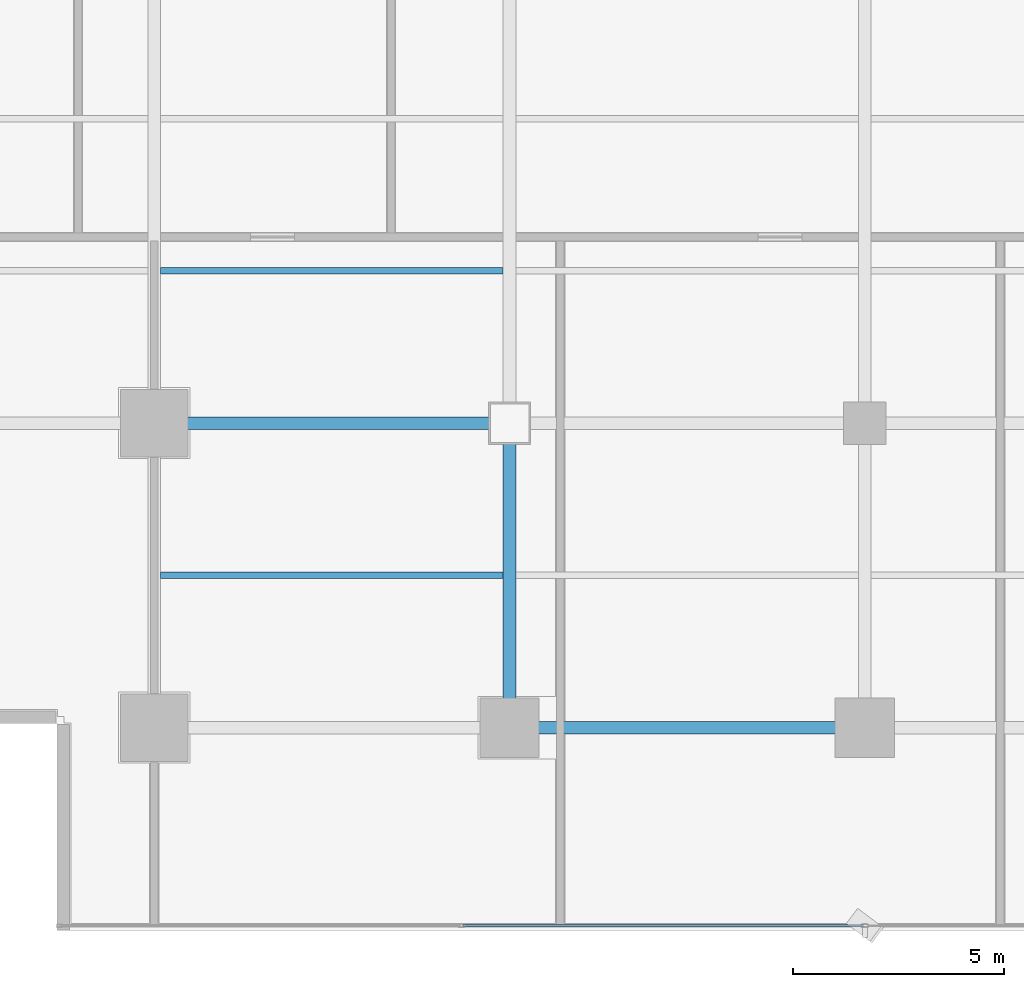
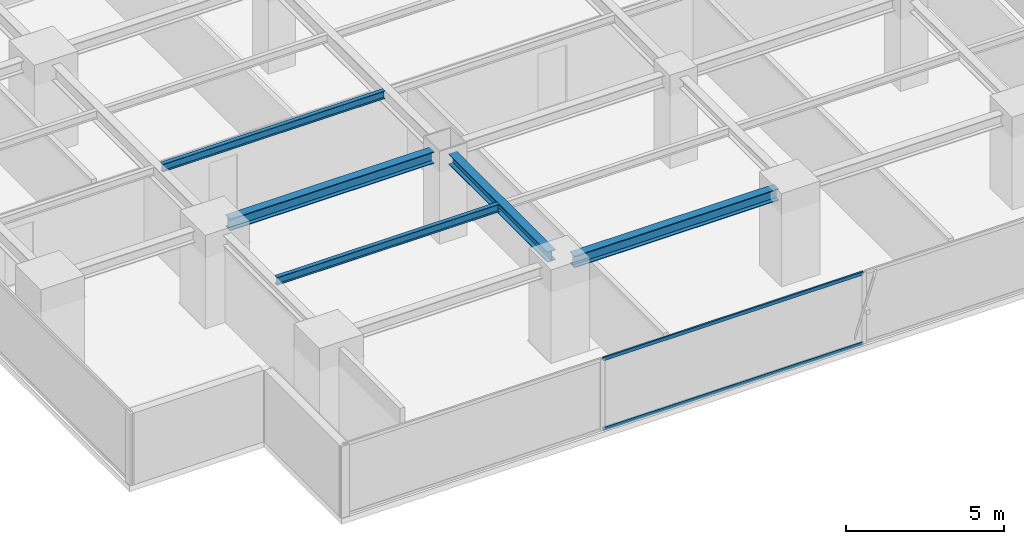
# One storey, part 4 of 28: 5 beams, 2 members, 1 element without a shape of its own.
"""IFC4 building model written with IfcOpenShell, lengths in metres."""

from ifc_helpers import new_model, si_unit, direction, frame, origin, origin_2d, place, context, subcontext, project, spatial, hollow_rectangle, i_section, extrude, source, transform, mapped, material, layer, layer_set, material_profile, profile_set, type_object, element, aggregate, save


model = new_model("IFC4")

# Units and contexts
model_context = context("Model", 3, precision=1e-05, world=origin(), true_north=direction((0.0, 1.0)))
body_context = subcontext(model_context, "Body", "Model", "MODEL_VIEW")
ifc_project = project(units=[si_unit("LENGTHUNIT", "METRE"), si_unit("AREAUNIT", "SQUARE_METRE"), si_unit("VOLUMEUNIT", "CUBIC_METRE"), si_unit("PLANEANGLEUNIT", "RADIAN"), si_unit("MASSUNIT", "GRAM", prefix="KILO")], contexts=[model_context])

# Site, building, storey
site_placement = place(None, origin())
site = spatial("IfcSite", under=ifc_project, at=site_placement, CompositionType="ELEMENT")
building_placement = place(site_placement, origin())
building = spatial("IfcBuilding", under=site, at=building_placement, Name="Sumidabori Civic Tower", CompositionType="ELEMENT")
storey_placement = place(building_placement, frame((0.0, 0.0, 171.199951171875)))
storey = spatial("IfcBuildingStorey", under=building, at=storey_placement, Name="L44", CompositionType="ELEMENT", Elevation=171.199951171875)

# Beams
ifc_material_1 = material(Name="Steel SN490", Category="steel")
ifc_material_profile_1 = material_profile(ifc_material_1, i_section(OverallWidth=0.300048828125, OverallDepth=0.39990234375, WebThickness=0.013427734375, FlangeThickness=0.02392578125, at=origin_2d()), Name="HE 400 B")
ifc_profile_set_1 = profile_set([ifc_material_profile_1], Name="Steel SN490")
beam_type_1 = type_object("IfcBeamType", Name="BM-GIRD-400", PredefinedType="BEAM", material=ifc_profile_set_1)
shared_shape_1 = source(origin(), body_context, "Body", "SweptSolid", [
    extrude(i_section(OverallWidth=0.300048828125, OverallDepth=0.39990234375, WebThickness=0.013427734375, FlangeThickness=0.02392578125, at=origin_2d()), origin(), (0.0, 0.0, 1.0), 6.239990234375),
])
beam_1_placement = place(storey_placement, frame((-8.39990234375, -17.52001953125, 3.179931640625), z_axis=(0.0, 1.0, 0.0), x_axis=(-1.0, 0.0, 0.0)))
element("IfcBeam", 1, at=beam_1_placement, inside=storey, type_object=beam_type_1, Name="Primary Girder L44 GY-26", PredefinedType="BEAM", context=body_context, shape_type="MappedRepresentation", body=[
    mapped(shared_shape_1, transform((0.0, 0.0, 0.0), x_axis=(1.0, 0.0, 0.0), y_axis=(0.0, 1.0, 0.0), z_axis=(0.0, 0.0, 1.0), scale=1.0)),
])
ifc_material_profile_2 = material_profile(ifc_material_1, i_section(OverallWidth=0.14990234375, OverallDepth=0.300048828125, WebThickness=0.007080078125, FlangeThickness=0.0107421875, at=origin_2d()), Name="IPE 300")
ifc_profile_set_2 = profile_set([ifc_material_profile_2], Name="Steel SN490")
beam_type_2 = type_object("IfcBeamType", Name="BM-JST-300", PredefinedType="JOIST", material=ifc_profile_set_2)
shared_shape_2 = source(origin(), body_context, "Body", "SweptSolid", [
    extrude(i_section(OverallWidth=0.14990234375, OverallDepth=0.300048828125, WebThickness=0.007080078125, FlangeThickness=0.0107421875, at=origin_2d()), origin(), (0.0, 0.0, 1.0), 8.099853515625),
])
for number, where, z_axis, x_axis, name in (
    (2, (-16.64990234375, -14.39990234375, 3.22998046875), (1.0, 0.0, 0.0), (0.0, 1.0, 0.0), "South Bay Floor Joist L44 JSTS-49"),
    (3, (-16.64990234375, -7.199951171875, 3.22998046875), (1.0, 0.0, 0.0), (0.0, 1.0, 0.0), "South Bay Floor Joist L44 JSTS-53"),
):
    element("IfcBeam", number, at=place(storey_placement, frame(where, z_axis=z_axis, x_axis=x_axis)), inside=storey, type_object=beam_type_2, Name=name, PredefinedType="JOIST", context=body_context, shape_type="MappedRepresentation", body=[
        mapped(shared_shape_2, transform((0.0, 0.0, 0.0), x_axis=(1.0, 0.0, 0.0), y_axis=(0.0, 1.0, 0.0), z_axis=(0.0, 0.0, 1.0), scale=1.0)),
    ])
ifc_material_profile_3 = material_profile(ifc_material_1, i_section(OverallWidth=0.300048828125, OverallDepth=0.449951171875, WebThickness=0.013916015625, FlangeThickness=0.02587890625, at=origin_2d()), Name="HE 450 B")
ifc_profile_set_3 = profile_set([ifc_material_profile_3], Name="Steel SN490")
beam_type_3 = type_object("IfcBeamType", Name="BM-GIRD-450", PredefinedType="BEAM", material=ifc_profile_set_3)
shared_shape_3 = source(origin(), body_context, "Body", "SweptSolid", [
    extrude(i_section(OverallWidth=0.300048828125, OverallDepth=0.449951171875, WebThickness=0.013916015625, FlangeThickness=0.02587890625, at=origin_2d()), origin(), (0.0, 0.0, 1.0), 7.440185546875),
])
beam_2_placement = place(storey_placement, frame((-16.320068359375, -10.800048828125, 3.155029296875), z_axis=(1.0, 0.0, 0.0), x_axis=(0.0, 1.0, 0.0)))
element("IfcBeam", 4, at=beam_2_placement, inside=storey, type_object=beam_type_3, Name="Primary Girder L44 GX-06", PredefinedType="BEAM", context=body_context, shape_type="MappedRepresentation", body=[
    mapped(shared_shape_3, transform((0.0, 0.0, 0.0), x_axis=(1.0, 0.0, 0.0), y_axis=(0.0, 1.0, 0.0), z_axis=(0.0, 0.0, 1.0), scale=1.0)),
])
shared_shape_4 = source(origin(), body_context, "Body", "SweptSolid", [
    extrude(i_section(OverallWidth=0.300048828125, OverallDepth=0.449951171875, WebThickness=0.013916015625, FlangeThickness=0.02587890625, at=origin_2d()), origin(), (0.0, 0.0, 1.0), 7.43994140625),
])
beam_3_placement = place(storey_placement, frame((-7.919921875, -18.0, 3.155029296875), z_axis=(1.0, 0.0, 0.0), x_axis=(0.0, 1.0, 0.0)))
element("IfcBeam", 5, at=beam_3_placement, inside=storey, type_object=beam_type_3, Name="Primary Girder L44 GX-02", PredefinedType="BEAM", context=body_context, shape_type="MappedRepresentation", body=[
    mapped(shared_shape_4, transform((0.0, 0.0, 0.0), x_axis=(1.0, 0.0, 0.0), y_axis=(0.0, 1.0, 0.0), z_axis=(0.0, 0.0, 1.0), scale=1.0)),
])

# Curtain wall, members
ifc_material_2 = material(Name="Anodised Bronze Aluminium AW-6063-T6", Category="aluminium")
ifc_layer = layer(ifc_material_2, 0.179931640625, Name="Anodised Bronze Aluminium AW-6063-T6")
ifc_layer_set = layer_set([ifc_layer], Name="Anodised Bronze Aluminium AW-6063-T6")
curtain_wall_type = type_object("IfcCurtainWallType", Name="CW-SYS-3", PredefinedType="NOTDEFINED", material=ifc_layer_set)
curtain_wall_placement = place(storey_placement, origin())
curtain_wall = element("IfcCurtainWall", 6, at=curtain_wall_placement, inside=storey, type_object=curtain_wall_type, Name="Curtain Wall CW:L44:R01", PredefinedType="NOTDEFINED")
ifc_material_profile_4 = material_profile(ifc_material_2, hollow_rectangle(XDim=0.06005859375, YDim=0.1298828125, WallThickness=0.0048828125, at=origin_2d()), Name="ALU TRANSOM 130x60")
ifc_profile_set_4 = profile_set([ifc_material_profile_4], Name="Anodised Bronze Aluminium AW-6063-T6")
member_type = type_object("IfcMemberType", Name="CW-TRN-130", PredefinedType="USERDEFINED", material=ifc_profile_set_4)
shared_shape_5 = source(origin(), body_context, "Body", "SweptSolid", [
    extrude(hollow_rectangle(XDim=0.06005859375, YDim=0.1298828125, WallThickness=0.0048828125, at=origin_2d()), origin(), (0.0, 0.0, 1.0), 9.469970703125),
])
member_1_placement = place(storey_placement, frame((-9.50244140625, -22.679931640625, 0.030029296875), z_axis=(1.0, 0.0, 0.0), x_axis=(0.0, 1.0, 0.0)))
member_1 = element("IfcMember", 7, at=member_1_placement, type_object=member_type, Name="CW-3 transom 2.1", ObjectType="TRANSOM", PredefinedType="USERDEFINED", context=body_context, shape_type="MappedRepresentation", body=[
    mapped(shared_shape_5, transform((0.0, 0.0, 0.0), x_axis=(1.0, 0.0, 0.0), y_axis=(0.0, 1.0, 0.0), z_axis=(0.0, 0.0, 1.0), scale=1.0)),
])
member_2_placement = place(storey_placement, frame((-9.50244140625, -22.679931640625, 2.72998046875), z_axis=(1.0, 0.0, 0.0), x_axis=(0.0, 1.0, 0.0)))
member_2 = element("IfcMember", 8, at=member_2_placement, type_object=member_type, Name="CW-3 transom 2.2", ObjectType="TRANSOM", PredefinedType="USERDEFINED", context=body_context, shape_type="MappedRepresentation", body=[
    mapped(shared_shape_5, transform((0.0, 0.0, 0.0), x_axis=(1.0, 0.0, 0.0), y_axis=(0.0, 1.0, 0.0), z_axis=(0.0, 0.0, 1.0), scale=1.0)),
])
aggregate(curtain_wall, [member_1, member_2])

save(model, "model.ifc")
